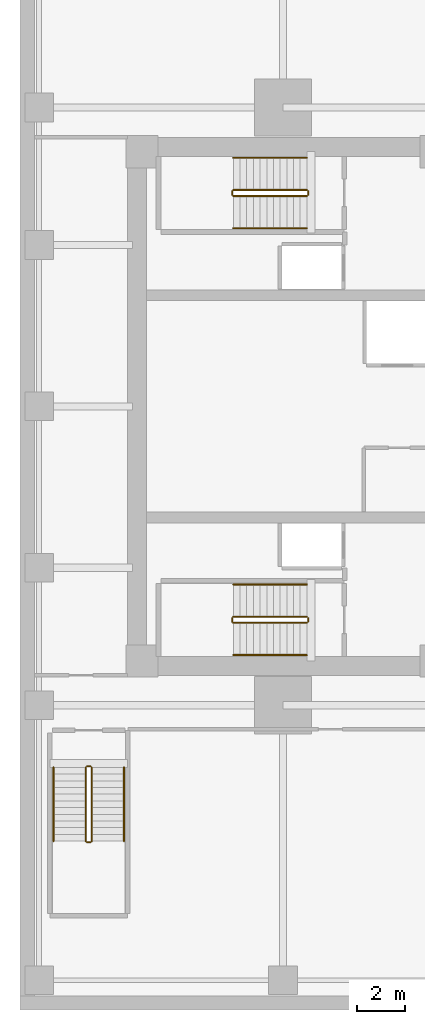
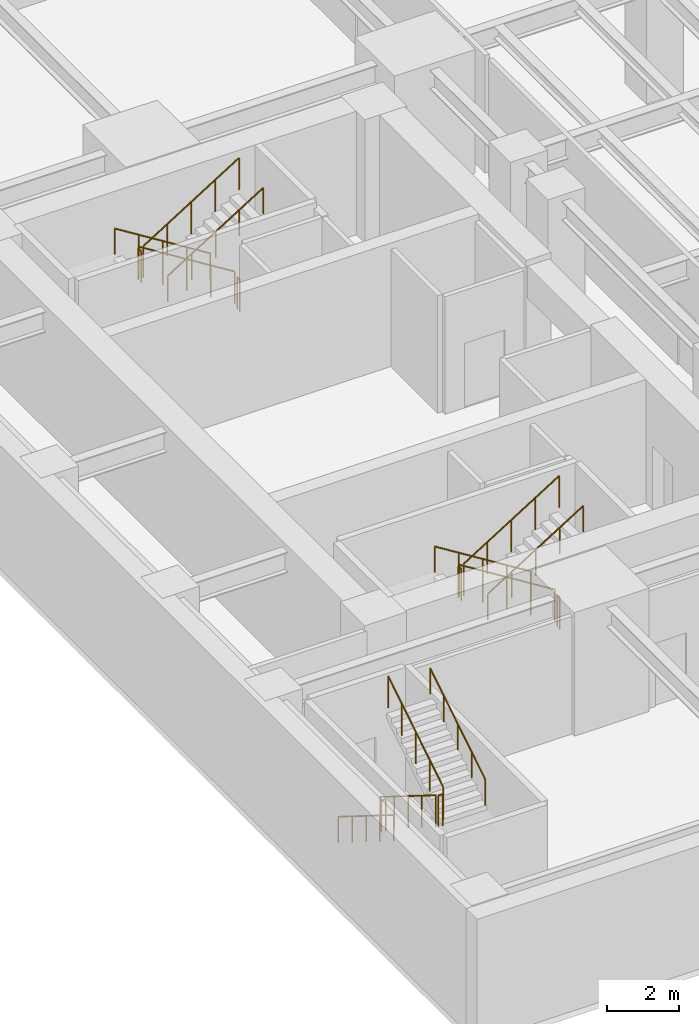
# One storey, part 5 of 5: 18 railings.
"""IFC4 building model written with IfcOpenShell, lengths in metres."""

import ifcopenshell
import ifcopenshell.guid

model = None  # the IFC model being written
_history = None  # IfcOwnerHistory: only IFC2X3 demands one
_inside = {}  # id of a spatial element -> (the spatial element, [elements in it])
_under = {}  # id of a project, library or spatial element -> (it, [spatial elements below it])
_declared = {}  # id of a project -> (the project, [libraries it declares])
_typed = {}  # id of a type object -> (the type object, [elements of that type])
_made_of = {}  # id of a material, layer set ... -> (it, [elements and type objects made of it])


def new_model(schema):
    """Start an empty IFC model of exactly this schema.

    Asked for "IFC4X3", IfcOpenShell would pick the latest addendum, in which some entities
    have other attributes; the version numbers below select the first issue.
    IFC2X3 requires an IfcOwnerHistory on every rooted entity: one is made here for all.
    """
    global model, _history
    if schema == "IFC4X3":
        model = ifcopenshell.file(schema_version=(4, 3, 0, 0))
    else:
        model = ifcopenshell.file(schema=schema)
    _inside.clear()
    _under.clear()
    _declared.clear()
    _typed.clear()
    _made_of.clear()
    _history = None
    if model.schema == "IFC2X3":
        org = make("IfcOrganization", Name="unknown")
        user = make(
            "IfcPersonAndOrganization",
            ThePerson=make("IfcPerson", FamilyName="unknown"),
            TheOrganization=org,
        )
        app = make(
            "IfcApplication",
            ApplicationDeveloper=org,
            Version="unknown",
            ApplicationFullName="unknown",
            ApplicationIdentifier="unknown",
        )
        _history = make(
            "IfcOwnerHistory",
            OwningUser=user,
            OwningApplication=app,
            ChangeAction="ADDED",
            CreationDate=0,
        )
    return model


def make(cls, **values):
    """One entity of the class cls with the attributes given. An attribute that is None is left unset."""
    return model.create_entity(
        cls, **{name: value for name, value in values.items() if value is not None}
    )


def rooted(cls, **values):
    """An entity with a GlobalId (a new one), such as an element, a storey or a relation."""
    return make(cls, GlobalId=ifcopenshell.guid.new(), OwnerHistory=_history, **values)


def si_unit(unit_type, name, prefix=None):
    """IfcSIUnit, for example si_unit("LENGTHUNIT", "METRE", prefix="MILLI")."""
    return make("IfcSIUnit", UnitType=unit_type, Prefix=prefix, Name=name)


def assignment(units):
    """IfcUnitAssignment: the units of a project."""
    return None if units is None else make("IfcUnitAssignment", Units=units)


def point(xyz):
    """IfcCartesianPoint."""
    return None if xyz is None else make("IfcCartesianPoint", Coordinates=xyz)


def direction(xyz):
    """IfcDirection."""
    return None if xyz is None else make("IfcDirection", DirectionRatios=xyz)


def frame(location, z_axis=None, x_axis=None):
    """IfcAxis2Placement3D, a coordinate frame: its origin and axes. An axis left out is left unset."""
    return make(
        "IfcAxis2Placement3D",
        Location=point(location),
        Axis=direction(z_axis),
        RefDirection=direction(x_axis),
    )


def frame_2d(location, x_axis=None):
    """IfcAxis2Placement2D, a coordinate frame in the plane: its origin and x axis."""
    return make(
        "IfcAxis2Placement2D", Location=point(location), RefDirection=direction(x_axis)
    )


def origin():
    """The frame at (0, 0, 0) with its axes left unset."""
    return frame((0.0, 0.0, 0.0))


def origin_2d():
    """The frame at (0, 0) in the plane with its x axis left unset."""
    return frame_2d((0.0, 0.0))


def place(relative_to, where):
    """IfcLocalPlacement: puts the frame where relative to a parent placement (None: the world)."""
    return make(
        "IfcLocalPlacement", PlacementRelTo=relative_to, RelativePlacement=where
    )


def context(
    kind, dimensions, precision=None, world=None, true_north=None, identifier=None
):
    """IfcGeometricRepresentationContext, for example the 3D "Model" context."""
    return make(
        "IfcGeometricRepresentationContext",
        ContextIdentifier=identifier,
        ContextType=kind,
        CoordinateSpaceDimension=dimensions,
        Precision=precision,
        WorldCoordinateSystem=world,
        TrueNorth=true_north,
    )


def subcontext(parent, identifier, kind, view, scale=None):
    """IfcGeometricRepresentationSubContext, for example "Body" below "Model"."""
    return make(
        "IfcGeometricRepresentationSubContext",
        ContextIdentifier=identifier,
        ContextType=kind,
        ParentContext=parent,
        TargetScale=scale,
        TargetView=view,
    )


def project(units=None, contexts=None):
    """IfcProject with its units and contexts."""
    return rooted(
        "IfcProject",
        Name="project",
        RepresentationContexts=contexts,
        UnitsInContext=assignment(units),
    )


def spatial(cls, under=None, at=None, **own):
    """A site, building, storey or space (cls), placed at a placement, below another one or the project."""
    s = rooted(cls, ObjectPlacement=at, **own)
    if under is not None:
        _under.setdefault(under.id(), (under, []))[1].append(s)
    return s


def profile(cls, at=None, kind="AREA", **sizes):
    """A parametric profile (cls). Its sizes go by their IFC names, for example OverallWidth=200.0."""
    return make(cls, ProfileType=kind, Position=at, **sizes)


def circle(**sizes):
    """IfcCircleProfileDef."""
    return profile("IfcCircleProfileDef", **sizes)


def extrude(swept, where, along, depth):
    """IfcExtrudedAreaSolid: the profile swept, set in the frame where, extruded along a direction by depth."""
    return make(
        "IfcExtrudedAreaSolid",
        SweptArea=swept,
        Position=where,
        ExtrudedDirection=direction(along),
        Depth=depth,
    )


def shape(context_of_items, identifier, shape_type, items):
    """IfcShapeRepresentation: the items that make up one representation, for example the "Body"."""
    return make(
        "IfcShapeRepresentation",
        ContextOfItems=context_of_items,
        RepresentationIdentifier=identifier,
        RepresentationType=shape_type,
        Items=items,
    )


def material(Name=None, Category=None):
    """IfcMaterial."""
    return make("IfcMaterial", Name=Name, Category=Category)


def made_of(thing, what):
    """Note that an element or type object is made of a material, layer set ...; save() writes the relation."""
    if what is not None:
        _made_of.setdefault(what.id(), (what, []))[1].append(thing)
    return thing


def type_object(cls, material=None, **own):
    """A type object (cls), such as IfcWallType, which elements share."""
    return made_of(rooted(cls, **own), material)


def element(
    cls,
    number,
    at=None,
    inside=None,
    cuts=None,
    type_object=None,
    material=None,
    context=None,
    identifier="Body",
    shape_type=None,
    held_by="IfcProductDefinitionShape",
    body=None,
    shapes=None,
    **own,
):
    """One element of the class cls, such as IfcWall. Its Tag is "e" and its number.

    at: its placement. inside: the storey or other place that contains it. cuts: it is an
    opening in that element (IfcRelVoidsElement). A single representation is given by context,
    identifier, shape_type and body (its items); several are given by shapes. held_by: the class
    of the entity that holds the representations. save() writes the other relations.
    """
    e = rooted(cls, Tag="e%d" % number, ObjectPlacement=at, **own)
    if body is not None:
        shapes = [shape(context, identifier, shape_type, body)]
    if shapes is not None:
        e.Representation = make(held_by, Representations=shapes)
    if inside is not None:
        _inside.setdefault(inside.id(), (inside, []))[1].append(e)
    if cuts is not None:
        rooted(
            "IfcRelVoidsElement", RelatingBuildingElement=cuts, RelatedOpeningElement=e
        )
    if type_object is not None:
        _typed.setdefault(type_object.id(), (type_object, []))[1].append(e)
    return made_of(e, material)


def aggregate(whole, parts):
    """IfcRelAggregates: a whole, such as a stair, and the parts it consists of."""
    return rooted("IfcRelAggregates", RelatingObject=whole, RelatedObjects=parts)


def save(model, path):
    """Write the relations noted so far, then the file.

    IfcRelAggregates (storeys below a building ...), IfcRelContainedInSpatialStructure (elements
    in a storey), IfcRelDefinesByType, IfcRelAssociatesMaterial and IfcRelDeclares: one each for
    every whole, place, type object, material and project.
    """
    for whole, parts in _under.values():
        aggregate(whole, parts)
    for where, things in _inside.values():
        rooted(
            "IfcRelContainedInSpatialStructure",
            RelatedElements=things,
            RelatingStructure=where,
        )
    for kind, things in _typed.values():
        rooted("IfcRelDefinesByType", RelatedObjects=things, RelatingType=kind)
    for what, things in _made_of.values():
        rooted("IfcRelAssociatesMaterial", RelatedObjects=things, RelatingMaterial=what)
    for by, libraries in _declared.values():
        rooted("IfcRelDeclares", RelatingContext=by, RelatedDefinitions=libraries)
    model.write(path)


model = new_model("IFC4")

# Units and contexts
model_context = context("Model", 3, precision=1e-05, world=origin(), true_north=direction((0.0, 1.0)))
body_context = subcontext(model_context, "Body", "Model", "MODEL_VIEW")
ifc_project = project(units=[si_unit("LENGTHUNIT", "METRE"), si_unit("AREAUNIT", "SQUARE_METRE"), si_unit("VOLUMEUNIT", "CUBIC_METRE"), si_unit("PLANEANGLEUNIT", "RADIAN"), si_unit("MASSUNIT", "GRAM", prefix="KILO")], contexts=[model_context])

# Site, building, storey
site_placement = place(None, origin())
site = spatial("IfcSite", under=ifc_project, at=site_placement, CompositionType="ELEMENT")
building_placement = place(site_placement, origin())
building = spatial("IfcBuilding", under=site, at=building_placement, Name="Kinhvarn Gate Tower", CompositionType="ELEMENT")
storey_placement = place(building_placement, frame((0.0, 0.0, -9.0)))
storey = spatial("IfcBuildingStorey", under=building, at=storey_placement, Name="B02", CompositionType="ELEMENT", Elevation=-9.0)

# Railings
ifc_material = material(Name="Steel S355", Category="steel")
railing_type_1 = type_object("IfcRailingType", Name="RL-ST-GRD", PredefinedType="BALUSTRADE", material=ifc_material)
railing_1_placement = place(storey_placement, frame((12.0, 16.449951171875, 0.175048828125)))
element("IfcRailing", 1, at=railing_1_placement, inside=storey, type_object=railing_type_1, Name="B02 ST1 stair guard 1", PredefinedType="BALUSTRADE", context=body_context, shape_type="SweptSolid", body=[
    extrude(circle(Radius=0.02392578125, at=origin_2d()), frame((0.0, 0.0, 1.076171875), z_axis=(-0.847998304005, 0.0, 0.529998940003), x_axis=(0.0, -1.0, 0.0)), (0.0, 0.0, 1.0), 3.632080078125),
    extrude(circle(Radius=0.02099609375, at=origin_2d()), origin(), (0.0, 0.0, 1.0), 1.052001953125),
    extrude(circle(Radius=0.02099609375, at=origin_2d()), frame((-0.77001953125, 0.0, 0.481201171875)), (0.0, 0.0, 1.0), 1.052001953125),
    extrude(circle(Radius=0.02099609375, at=origin_2d()), frame((-1.5400390625, 0.0, 0.96240234375)), (0.0, 0.0, 1.0), 1.052001953125),
    extrude(circle(Radius=0.02099609375, at=origin_2d()), frame((-2.31005859375, 0.0, 1.44384765625)), (0.0, 0.0, 1.0), 1.052001953125),
    extrude(circle(Radius=0.02099609375, at=origin_2d()), frame((-3.080078125, 0.0, 1.925048828125)), (0.0, 0.0, 1.0), 1.052001953125),
])
railing_2_placement = place(storey_placement, frame((8.8701171875, 16.39990234375, 2.10009765625)))
element("IfcRailing", 2, at=railing_2_placement, inside=storey, type_object=railing_type_1, Name="B02 ST1 stair guard 2", PredefinedType="BALUSTRADE", context=body_context, shape_type="SweptSolid", body=[
    extrude(circle(Radius=0.02392578125, at=origin_2d()), frame((0.0, 0.0, 1.076171875), z_axis=(0.0, -1.0, 0.0), x_axis=(1.0, 0.0, 0.0)), (0.0, 0.0, 1.0), 0.14990234375),
    extrude(circle(Radius=0.02099609375, at=origin_2d()), origin(), (0.0, 0.0, 1.0), 1.052001953125),
    extrude(circle(Radius=0.02099609375, at=origin_2d()), frame((0.0, -0.14990234375, 0.0)), (0.0, 0.0, 1.0), 1.052001953125),
])
railing_3_placement = place(storey_placement, frame((8.919921875, 16.199951171875, 2.27490234375)))
element("IfcRailing", 3, at=railing_3_placement, inside=storey, type_object=railing_type_1, Name="B02 ST1 stair guard 3", PredefinedType="BALUSTRADE", context=body_context, shape_type="SweptSolid", body=[
    extrude(circle(Radius=0.02392578125, at=origin_2d()), frame((0.0, 0.0, 1.076171875), z_axis=(0.847998304005, 0.0, 0.529998940003), x_axis=(0.0, 1.0, 0.0)), (0.0, 0.0, 1.0), 3.632080078125),
    extrude(circle(Radius=0.02099609375, at=origin_2d()), origin(), (0.0, 0.0, 1.0), 1.052001953125),
    extrude(circle(Radius=0.02099609375, at=origin_2d()), frame((0.77001953125, 0.0, 0.481201171875)), (0.0, 0.0, 1.0), 1.052001953125),
    extrude(circle(Radius=0.02099609375, at=origin_2d()), frame((1.5400390625, 0.0, 0.96240234375)), (0.0, 0.0, 1.0), 1.052001953125),
    extrude(circle(Radius=0.02099609375, at=origin_2d()), frame((2.31005859375, 0.0, 1.44384765625)), (0.0, 0.0, 1.0), 1.052001953125),
    extrude(circle(Radius=0.02099609375, at=origin_2d()), frame((3.080078125, 0.0, 1.925048828125)), (0.0, 0.0, 1.0), 1.052001953125),
])
railing_4_placement = place(storey_placement, frame((12.050048828125, 16.39990234375, 0.0)))
element("IfcRailing", 4, at=railing_4_placement, inside=storey, type_object=railing_type_1, Name="B02 ST1 stair guard 4", PredefinedType="BALUSTRADE", context=body_context, shape_type="SweptSolid", body=[
    extrude(circle(Radius=0.02392578125, at=origin_2d()), frame((0.0, 0.0, 1.076171875), z_axis=(0.0, -1.0, 0.0), x_axis=(1.0, 0.0, 0.0)), (0.0, 0.0, 1.0), 0.14990234375),
    extrude(circle(Radius=0.02099609375, at=origin_2d()), origin(), (0.0, 0.0, 1.0), 1.052001953125),
    extrude(circle(Radius=0.02099609375, at=origin_2d()), frame((0.0, -0.14990234375, 0.0)), (0.0, 0.0, 1.0), 1.052001953125),
])
railing_5_placement = place(storey_placement, frame((12.0, 34.300048828125, 0.175048828125)))
element("IfcRailing", 5, at=railing_5_placement, inside=storey, type_object=railing_type_1, Name="B02 ST2 stair guard 1", PredefinedType="BALUSTRADE", context=body_context, shape_type="SweptSolid", body=[
    extrude(circle(Radius=0.02392578125, at=origin_2d()), frame((0.0, 0.0, 1.076171875), z_axis=(-0.847998304005, 0.0, 0.529998940003), x_axis=(0.0, -1.0, 0.0)), (0.0, 0.0, 1.0), 3.632080078125),
    extrude(circle(Radius=0.02099609375, at=origin_2d()), origin(), (0.0, 0.0, 1.0), 1.052001953125),
    extrude(circle(Radius=0.02099609375, at=origin_2d()), frame((-0.77001953125, 0.0, 0.481201171875)), (0.0, 0.0, 1.0), 1.052001953125),
    extrude(circle(Radius=0.02099609375, at=origin_2d()), frame((-1.5400390625, 0.0, 0.96240234375)), (0.0, 0.0, 1.0), 1.052001953125),
    extrude(circle(Radius=0.02099609375, at=origin_2d()), frame((-2.31005859375, 0.0, 1.44384765625)), (0.0, 0.0, 1.0), 1.052001953125),
    extrude(circle(Radius=0.02099609375, at=origin_2d()), frame((-3.080078125, 0.0, 1.925048828125)), (0.0, 0.0, 1.0), 1.052001953125),
])
railing_6_placement = place(storey_placement, frame((8.8701171875, 34.25, 2.10009765625)))
element("IfcRailing", 6, at=railing_6_placement, inside=storey, type_object=railing_type_1, Name="B02 ST2 stair guard 2", PredefinedType="BALUSTRADE", context=body_context, shape_type="SweptSolid", body=[
    extrude(circle(Radius=0.02392578125, at=origin_2d()), frame((0.0, 0.0, 1.076171875), z_axis=(0.0, -1.0, 0.0), x_axis=(1.0, 0.0, 0.0)), (0.0, 0.0, 1.0), 0.14990234375),
    extrude(circle(Radius=0.02099609375, at=origin_2d()), origin(), (0.0, 0.0, 1.0), 1.052001953125),
    extrude(circle(Radius=0.02099609375, at=origin_2d()), frame((0.0, -0.14990234375, 0.0)), (0.0, 0.0, 1.0), 1.052001953125),
])
railing_7_placement = place(storey_placement, frame((8.919921875, 34.050048828125, 2.27490234375)))
element("IfcRailing", 7, at=railing_7_placement, inside=storey, type_object=railing_type_1, Name="B02 ST2 stair guard 3", PredefinedType="BALUSTRADE", context=body_context, shape_type="SweptSolid", body=[
    extrude(circle(Radius=0.02392578125, at=origin_2d()), frame((0.0, 0.0, 1.076171875), z_axis=(0.847998304005, 0.0, 0.529998940003), x_axis=(0.0, 1.0, 0.0)), (0.0, 0.0, 1.0), 3.632080078125),
    extrude(circle(Radius=0.02099609375, at=origin_2d()), origin(), (0.0, 0.0, 1.0), 1.052001953125),
    extrude(circle(Radius=0.02099609375, at=origin_2d()), frame((0.77001953125, 0.0, 0.481201171875)), (0.0, 0.0, 1.0), 1.052001953125),
    extrude(circle(Radius=0.02099609375, at=origin_2d()), frame((1.5400390625, 0.0, 0.96240234375)), (0.0, 0.0, 1.0), 1.052001953125),
    extrude(circle(Radius=0.02099609375, at=origin_2d()), frame((2.31005859375, 0.0, 1.44384765625)), (0.0, 0.0, 1.0), 1.052001953125),
    extrude(circle(Radius=0.02099609375, at=origin_2d()), frame((3.080078125, 0.0, 1.925048828125)), (0.0, 0.0, 1.0), 1.052001953125),
])
railing_8_placement = place(storey_placement, frame((12.050048828125, 34.25, 0.0)))
element("IfcRailing", 8, at=railing_8_placement, inside=storey, type_object=railing_type_1, Name="B02 ST2 stair guard 4", PredefinedType="BALUSTRADE", context=body_context, shape_type="SweptSolid", body=[
    extrude(circle(Radius=0.02392578125, at=origin_2d()), frame((0.0, 0.0, 1.076171875), z_axis=(0.0, -1.0, 0.0), x_axis=(1.0, 0.0, 0.0)), (0.0, 0.0, 1.0), 0.14990234375),
    extrude(circle(Radius=0.02099609375, at=origin_2d()), origin(), (0.0, 0.0, 1.0), 1.052001953125),
    extrude(circle(Radius=0.02099609375, at=origin_2d()), frame((0.0, -0.14990234375, 0.0)), (0.0, 0.0, 1.0), 1.052001953125),
])
railing_9_placement = place(storey_placement, frame((2.75, 10.14990234375, 0.175048828125)))
element("IfcRailing", 9, at=railing_9_placement, inside=storey, type_object=railing_type_1, Name="B02 ST3 stair guard 1", PredefinedType="BALUSTRADE", context=body_context, shape_type="SweptSolid", body=[
    extrude(circle(Radius=0.02392578125, at=origin_2d()), frame((0.0, 0.0, 1.076171875), z_axis=(0.0, -0.847979421464, 0.530029150871), x_axis=(1.0, 0.0, 0.0)), (0.0, 0.0, 1.0), 3.632080078125),
    extrude(circle(Radius=0.02099609375, at=origin_2d()), origin(), (0.0, 0.0, 1.0), 1.052001953125),
    extrude(circle(Radius=0.02099609375, at=origin_2d()), frame((0.0, -0.77001953125, 0.481201171875)), (0.0, 0.0, 1.0), 1.052001953125),
    extrude(circle(Radius=0.02099609375, at=origin_2d()), frame((0.0, -1.5400390625, 0.96240234375)), (0.0, 0.0, 1.0), 1.052001953125),
    extrude(circle(Radius=0.02099609375, at=origin_2d()), frame((0.0, -2.309814453125, 1.44384765625)), (0.0, 0.0, 1.0), 1.052001953125),
    extrude(circle(Radius=0.02099609375, at=origin_2d()), frame((0.0, -3.079833984375, 1.925048828125)), (0.0, 0.0, 1.0), 1.052001953125),
])
railing_10_placement = place(storey_placement, frame((2.800048828125, 7.02001953125, 2.10009765625)))
element("IfcRailing", 10, at=railing_10_placement, inside=storey, type_object=railing_type_1, Name="B02 ST3 stair guard 2", PredefinedType="BALUSTRADE", context=body_context, shape_type="SweptSolid", body=[
    extrude(circle(Radius=0.02392578125, at=origin_2d()), frame((0.0, 0.0, 1.076171875), z_axis=(1.0, 0.0, 0.0), x_axis=(0.0, 1.0, 0.0)), (0.0, 0.0, 1.0), 0.14990234375),
    extrude(circle(Radius=0.02099609375, at=origin_2d()), origin(), (0.0, 0.0, 1.0), 1.052001953125),
    extrude(circle(Radius=0.02099609375, at=origin_2d()), frame((0.14990234375, 0.0, 0.0)), (0.0, 0.0, 1.0), 1.052001953125),
])
railing_11_placement = place(storey_placement, frame((3.0, 7.070068359375, 2.27490234375)))
element("IfcRailing", 11, at=railing_11_placement, inside=storey, type_object=railing_type_1, Name="B02 ST3 stair guard 3", PredefinedType="BALUSTRADE", context=body_context, shape_type="SweptSolid", body=[
    extrude(circle(Radius=0.02392578125, at=origin_2d()), frame((0.0, 0.0, 1.076171875), z_axis=(0.0, 0.847979421464, 0.530029150871), x_axis=(-1.0, 0.0, 0.0)), (0.0, 0.0, 1.0), 3.632080078125),
    extrude(circle(Radius=0.02099609375, at=origin_2d()), origin(), (0.0, 0.0, 1.0), 1.052001953125),
    extrude(circle(Radius=0.02099609375, at=origin_2d()), frame((0.0, 0.77001953125, 0.481201171875)), (0.0, 0.0, 1.0), 1.052001953125),
    extrude(circle(Radius=0.02099609375, at=origin_2d()), frame((0.0, 1.5400390625, 0.96240234375)), (0.0, 0.0, 1.0), 1.052001953125),
    extrude(circle(Radius=0.02099609375, at=origin_2d()), frame((0.0, 2.309814453125, 1.44384765625)), (0.0, 0.0, 1.0), 1.052001953125),
    extrude(circle(Radius=0.02099609375, at=origin_2d()), frame((0.0, 3.079833984375, 1.925048828125)), (0.0, 0.0, 1.0), 1.052001953125),
])
railing_12_placement = place(storey_placement, frame((2.800048828125, 10.199951171875, 0.0)))
element("IfcRailing", 12, at=railing_12_placement, inside=storey, type_object=railing_type_1, Name="B02 ST3 stair guard 4", PredefinedType="BALUSTRADE", context=body_context, shape_type="SweptSolid", body=[
    extrude(circle(Radius=0.02392578125, at=origin_2d()), frame((0.0, 0.0, 1.076171875), z_axis=(1.0, 0.0, 0.0), x_axis=(0.0, 1.0, 0.0)), (0.0, 0.0, 1.0), 0.14990234375),
    extrude(circle(Radius=0.02099609375, at=origin_2d()), origin(), (0.0, 0.0, 1.0), 1.052001953125),
    extrude(circle(Radius=0.02099609375, at=origin_2d()), frame((0.14990234375, 0.0, 0.0)), (0.0, 0.0, 1.0), 1.052001953125),
])
railing_type_2 = type_object("IfcRailingType", Name="RL-ST-HND", PredefinedType="HANDRAIL", material=ifc_material)
railing_13_placement = place(storey_placement, frame((12.0, 17.800048828125, 0.175048828125)))
element("IfcRailing", 13, at=railing_13_placement, inside=storey, type_object=railing_type_2, Name="B02 ST1 stair handrail 1", PredefinedType="HANDRAIL", context=body_context, shape_type="SweptSolid", body=[
    extrude(circle(Radius=0.02392578125, at=origin_2d()), frame((0.0, 0.0, 0.8759765625), z_axis=(-0.847998304005, 0.0, 0.529998940003), x_axis=(0.0, -1.0, 0.0)), (0.0, 0.0, 1.0), 3.632080078125),
    extrude(circle(Radius=0.02099609375, at=origin_2d()), origin(), (0.0, 0.0, 1.0), 0.851806640625),
    extrude(circle(Radius=0.02099609375, at=origin_2d()), frame((-0.77001953125, 0.0, 0.481201171875)), (0.0, 0.0, 1.0), 0.851806640625),
    extrude(circle(Radius=0.02099609375, at=origin_2d()), frame((-1.5400390625, 0.0, 0.96240234375)), (0.0, 0.0, 1.0), 0.851806640625),
    extrude(circle(Radius=0.02099609375, at=origin_2d()), frame((-2.31005859375, 0.0, 1.44384765625)), (0.0, 0.0, 1.0), 0.851806640625),
    extrude(circle(Radius=0.02099609375, at=origin_2d()), frame((-3.080078125, 0.0, 1.925048828125)), (0.0, 0.0, 1.0), 0.851806640625),
])
railing_14_placement = place(storey_placement, frame((8.919921875, 14.85009765625, 2.27490234375)))
element("IfcRailing", 14, at=railing_14_placement, inside=storey, type_object=railing_type_2, Name="B02 ST1 stair handrail 2", PredefinedType="HANDRAIL", context=body_context, shape_type="SweptSolid", body=[
    extrude(circle(Radius=0.02392578125, at=origin_2d()), frame((0.0, 0.0, 0.8759765625), z_axis=(0.847998304005, 0.0, 0.529998940003), x_axis=(0.0, 1.0, 0.0)), (0.0, 0.0, 1.0), 3.632080078125),
    extrude(circle(Radius=0.02099609375, at=origin_2d()), origin(), (0.0, 0.0, 1.0), 0.851806640625),
    extrude(circle(Radius=0.02099609375, at=origin_2d()), frame((0.77001953125, 0.0, 0.481201171875)), (0.0, 0.0, 1.0), 0.851806640625),
    extrude(circle(Radius=0.02099609375, at=origin_2d()), frame((1.5400390625, 0.0, 0.96240234375)), (0.0, 0.0, 1.0), 0.851806640625),
    extrude(circle(Radius=0.02099609375, at=origin_2d()), frame((2.31005859375, 0.0, 1.44384765625)), (0.0, 0.0, 1.0), 0.851806640625),
    extrude(circle(Radius=0.02099609375, at=origin_2d()), frame((3.080078125, 0.0, 1.925048828125)), (0.0, 0.0, 1.0), 0.851806640625),
])
railing_15_placement = place(storey_placement, frame((12.0, 35.64990234375, 0.175048828125)))
element("IfcRailing", 15, at=railing_15_placement, inside=storey, type_object=railing_type_2, Name="B02 ST2 stair handrail 1", PredefinedType="HANDRAIL", context=body_context, shape_type="SweptSolid", body=[
    extrude(circle(Radius=0.02392578125, at=origin_2d()), frame((0.0, 0.0, 0.8759765625), z_axis=(-0.847998304005, 0.0, 0.529998940003), x_axis=(0.0, -1.0, 0.0)), (0.0, 0.0, 1.0), 3.632080078125),
    extrude(circle(Radius=0.02099609375, at=origin_2d()), origin(), (0.0, 0.0, 1.0), 0.851806640625),
    extrude(circle(Radius=0.02099609375, at=origin_2d()), frame((-0.77001953125, 0.0, 0.481201171875)), (0.0, 0.0, 1.0), 0.851806640625),
    extrude(circle(Radius=0.02099609375, at=origin_2d()), frame((-1.5400390625, 0.0, 0.96240234375)), (0.0, 0.0, 1.0), 0.851806640625),
    extrude(circle(Radius=0.02099609375, at=origin_2d()), frame((-2.31005859375, 0.0, 1.44384765625)), (0.0, 0.0, 1.0), 0.851806640625),
    extrude(circle(Radius=0.02099609375, at=origin_2d()), frame((-3.080078125, 0.0, 1.925048828125)), (0.0, 0.0, 1.0), 0.851806640625),
])
railing_16_placement = place(storey_placement, frame((8.919921875, 32.699951171875, 2.27490234375)))
element("IfcRailing", 16, at=railing_16_placement, inside=storey, type_object=railing_type_2, Name="B02 ST2 stair handrail 2", PredefinedType="HANDRAIL", context=body_context, shape_type="SweptSolid", body=[
    extrude(circle(Radius=0.02392578125, at=origin_2d()), frame((0.0, 0.0, 0.8759765625), z_axis=(0.847998304005, 0.0, 0.529998940003), x_axis=(0.0, 1.0, 0.0)), (0.0, 0.0, 1.0), 3.632080078125),
    extrude(circle(Radius=0.02099609375, at=origin_2d()), origin(), (0.0, 0.0, 1.0), 0.851806640625),
    extrude(circle(Radius=0.02099609375, at=origin_2d()), frame((0.77001953125, 0.0, 0.481201171875)), (0.0, 0.0, 1.0), 0.851806640625),
    extrude(circle(Radius=0.02099609375, at=origin_2d()), frame((1.5400390625, 0.0, 0.96240234375)), (0.0, 0.0, 1.0), 0.851806640625),
    extrude(circle(Radius=0.02099609375, at=origin_2d()), frame((2.31005859375, 0.0, 1.44384765625)), (0.0, 0.0, 1.0), 0.851806640625),
    extrude(circle(Radius=0.02099609375, at=origin_2d()), frame((3.080078125, 0.0, 1.925048828125)), (0.0, 0.0, 1.0), 0.851806640625),
])
railing_17_placement = place(storey_placement, frame((1.39990234375, 10.14990234375, 0.175048828125)))
element("IfcRailing", 17, at=railing_17_placement, inside=storey, type_object=railing_type_2, Name="B02 ST3 stair handrail 1", PredefinedType="HANDRAIL", context=body_context, shape_type="SweptSolid", body=[
    extrude(circle(Radius=0.02392578125, at=origin_2d()), frame((0.0, 0.0, 0.8759765625), z_axis=(0.0, -0.847979421464, 0.530029150871), x_axis=(1.0, 0.0, 0.0)), (0.0, 0.0, 1.0), 3.632080078125),
    extrude(circle(Radius=0.02099609375, at=origin_2d()), origin(), (0.0, 0.0, 1.0), 0.851806640625),
    extrude(circle(Radius=0.02099609375, at=origin_2d()), frame((0.0, -0.77001953125, 0.481201171875)), (0.0, 0.0, 1.0), 0.851806640625),
    extrude(circle(Radius=0.02099609375, at=origin_2d()), frame((0.0, -1.5400390625, 0.96240234375)), (0.0, 0.0, 1.0), 0.851806640625),
    extrude(circle(Radius=0.02099609375, at=origin_2d()), frame((0.0, -2.309814453125, 1.44384765625)), (0.0, 0.0, 1.0), 0.851806640625),
    extrude(circle(Radius=0.02099609375, at=origin_2d()), frame((0.0, -3.079833984375, 1.925048828125)), (0.0, 0.0, 1.0), 0.851806640625),
])
railing_18_placement = place(storey_placement, frame((4.35009765625, 7.070068359375, 2.27490234375)))
element("IfcRailing", 18, at=railing_18_placement, inside=storey, type_object=railing_type_2, Name="B02 ST3 stair handrail 2", PredefinedType="HANDRAIL", context=body_context, shape_type="SweptSolid", body=[
    extrude(circle(Radius=0.02392578125, at=origin_2d()), frame((0.0, 0.0, 0.8759765625), z_axis=(0.0, 0.847979421464, 0.530029150871), x_axis=(-1.0, 0.0, 0.0)), (0.0, 0.0, 1.0), 3.632080078125),
    extrude(circle(Radius=0.02099609375, at=origin_2d()), origin(), (0.0, 0.0, 1.0), 0.851806640625),
    extrude(circle(Radius=0.02099609375, at=origin_2d()), frame((0.0, 0.77001953125, 0.481201171875)), (0.0, 0.0, 1.0), 0.851806640625),
    extrude(circle(Radius=0.02099609375, at=origin_2d()), frame((0.0, 1.5400390625, 0.96240234375)), (0.0, 0.0, 1.0), 0.851806640625),
    extrude(circle(Radius=0.02099609375, at=origin_2d()), frame((0.0, 2.309814453125, 1.44384765625)), (0.0, 0.0, 1.0), 0.851806640625),
    extrude(circle(Radius=0.02099609375, at=origin_2d()), frame((0.0, 3.079833984375, 1.925048828125)), (0.0, 0.0, 1.0), 0.851806640625),
])

save(model, "model.ifc")
